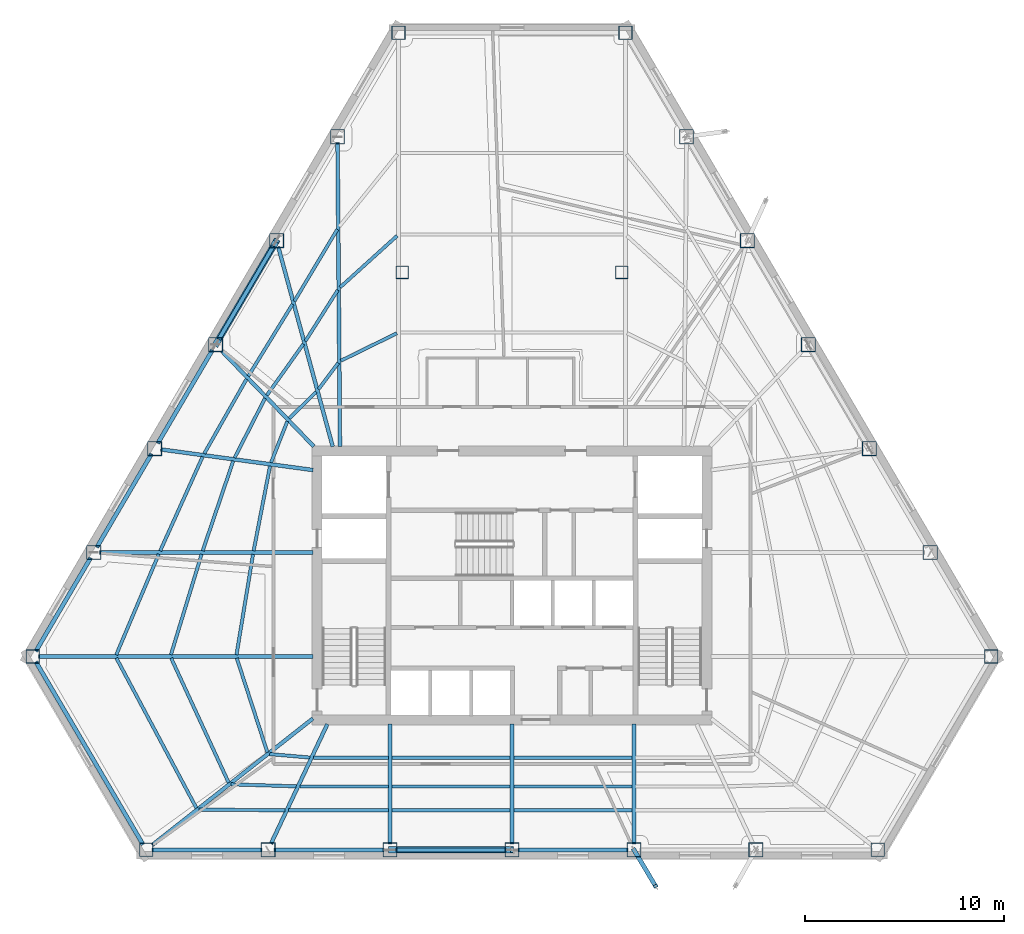
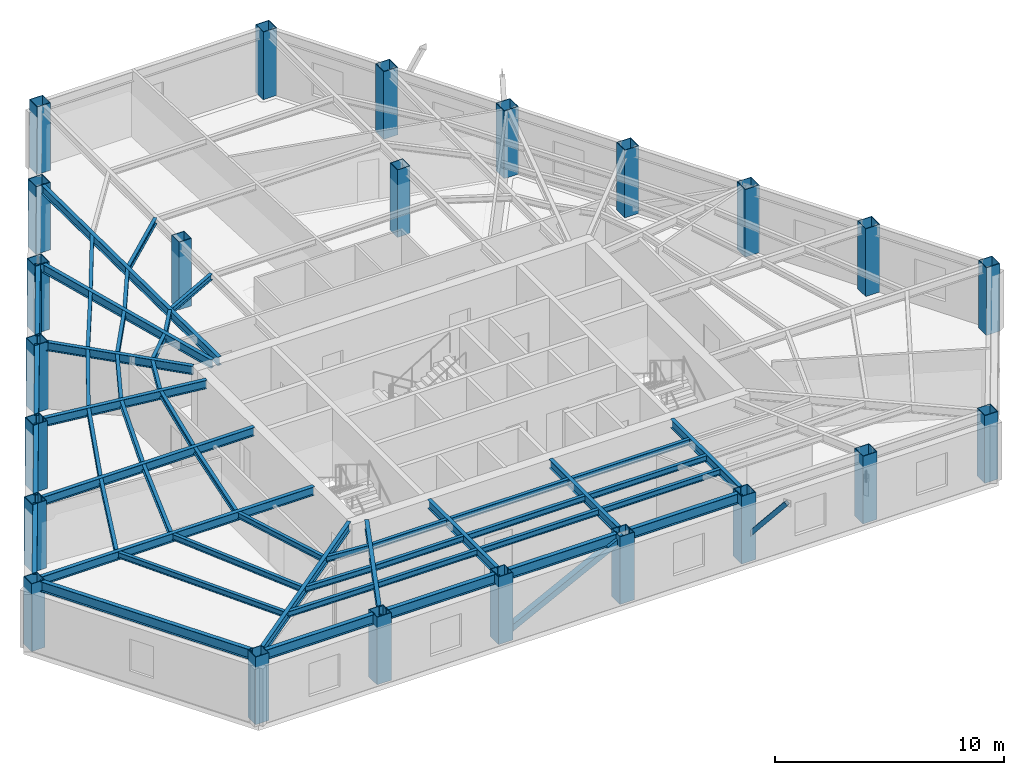
# One storey, part 1 of 13: 52 beams, 23 columns, 3 members.
"""IFC4 building model written with IfcOpenShell, lengths in metres."""

from ifc_helpers import new_model, si_unit, direction, frame, origin, origin_2d, place, context, subcontext, project, spatial, hollow_rectangle, i_section, extrude, material, material_profile, profile_set, type_object, element, save


model = new_model("IFC4")

# Units and contexts
model_context = context("Model", 3, precision=1e-05, world=origin(), true_north=direction((0.0, 1.0)))
body_context = subcontext(model_context, "Body", "Model", "MODEL_VIEW")
ifc_project = project(units=[si_unit("LENGTHUNIT", "METRE"), si_unit("AREAUNIT", "SQUARE_METRE"), si_unit("VOLUMEUNIT", "CUBIC_METRE"), si_unit("PLANEANGLEUNIT", "RADIAN"), si_unit("MASSUNIT", "GRAM", prefix="KILO")], contexts=[model_context])

# Site, building, storey
site_placement = place(None, origin())
site = spatial("IfcSite", under=ifc_project, at=site_placement, CompositionType="ELEMENT")
building_placement = place(site_placement, origin())
building = spatial("IfcBuilding", under=site, at=building_placement, Name="Kavelnor Concourse Tower", CompositionType="ELEMENT")
storey_placement = place(building_placement, frame((0.0, 0.0, 131.699951171875)))
storey = spatial("IfcBuildingStorey", under=building, at=storey_placement, Name="L33", CompositionType="ELEMENT", Elevation=131.699951171875)

# Columns
ifc_material = material(Name="Steel Grade 350", Category="steel")
ifc_material_profile_1 = material_profile(ifc_material, hollow_rectangle(XDim=0.679931640625, YDim=0.679931640625, WallThickness=0.030029296875, at=origin_2d()), Name="SHS 680x680x30")
ifc_profile_set_1 = profile_set([ifc_material_profile_1], Name="Steel Grade 350")
column_type_1 = type_object("IfcColumnType", Name="COL-FOLD-Z2", PredefinedType="COLUMN", material=ifc_profile_set_1)
for number, where, z_axis, x_axis, name in (
    (1, (32.305908203125, 43.817626953125, 0.0), (0.0, 0.0, 1.0), (1.0, 0.0, 0.0), "L33 Perimeter Corner-Fold Column F0-B0"),
    (2, (13.961181640625, 12.533203125, 0.0), (0.0, 0.0, 1.0), (1.0, 0.0, 0.0), "L33 Perimeter Corner-Fold Column F0-B6"),
    (3, (19.64892578125, 2.833740234375, 0.0), (0.0, 0.0, 1.0), (1.0, 0.0, 0.0), "L33 Perimeter Corner-Fold Column F1-B0"),
    (4, (56.35107421875, 2.833740234375, 0.0), (0.0, 0.0, 1.0), (1.0, 0.0, 0.0), "L33 Perimeter Corner-Fold Column F1-B6"),
    (5, (62.038818359375, 12.533203125, 0.0), (0.0, 0.0, 1.0), (1.0, 0.0, 0.0), "L33 Perimeter Corner-Fold Column F2-B0"),
    (6, (43.694091796875, 43.817626953125, 0.0), (0.0, 0.0, 1.0), (1.0, 0.0, 0.0), "L33 Perimeter Corner-Fold Column F2-B6"),
):
    element("IfcColumn", number, at=place(storey_placement, frame(where, z_axis=z_axis, x_axis=x_axis)), inside=storey, type_object=column_type_1, Name=name, PredefinedType="COLUMN", context=body_context, shape_type="SweptSolid", body=[
        extrude(hollow_rectangle(XDim=0.679931640625, YDim=0.679931640625, WallThickness=0.030029296875, at=origin_2d()), origin(), (0.0, 0.0, 1.0), 3.60009765625),
    ])
ifc_material_profile_2 = material_profile(ifc_material, hollow_rectangle(XDim=0.719970703125, YDim=0.719970703125, WallThickness=0.031982421875, at=origin_2d()), Name="SHS 720x720x32")
ifc_profile_set_2 = profile_set([ifc_material_profile_2], Name="Steel Grade 350")
column_type_2 = type_object("IfcColumnType", Name="COL-TUBE-Z2", PredefinedType="COLUMN", material=ifc_profile_set_2)
for number, where, z_axis, x_axis, name in (
    (7, (29.24853515625, 38.603515625, 0.0), (0.0, 0.0, 1.0), (1.0, 0.0, 0.0), "L33 Perimeter Framed-Tube Column F0-B1"),
    (8, (26.191162109375, 33.389404296875, 0.0), (0.0, 0.0, 1.0), (1.0, 0.0, 0.0), "L33 Perimeter Framed-Tube Column F0-B2"),
    (9, (23.133544921875, 28.175537109375, 0.0), (0.0, 0.0, 1.0), (1.0, 0.0, 0.0), "L33 Perimeter Framed-Tube Column F0-B3"),
    (10, (20.076171875, 22.96142578125, 0.0), (0.0, 0.0, 1.0), (1.0, 0.0, 0.0), "L33 Perimeter Framed-Tube Column F0-B4"),
    (11, (17.018798828125, 17.747314453125, 0.0), (0.0, 0.0, 1.0), (1.0, 0.0, 0.0), "L33 Perimeter Framed-Tube Column F0-B5"),
    (12, (25.765869140625, 2.833740234375, 0.0), (0.0, 0.0, 1.0), (1.0, 0.0, 0.0), "L33 Perimeter Framed-Tube Column F1-B1"),
    (13, (31.883056640625, 2.833740234375, 0.0), (0.0, 0.0, 1.0), (1.0, 0.0, 0.0), "L33 Perimeter Framed-Tube Column F1-B2"),
    (14, (38.0, 2.833740234375, 0.0), (0.0, 0.0, 1.0), (1.0, 0.0, 0.0), "L33 Perimeter Framed-Tube Column F1-B3"),
    (15, (44.116943359375, 2.833740234375, 0.0), (0.0, 0.0, 1.0), (1.0, 0.0, 0.0), "L33 Perimeter Framed-Tube Column F1-B4"),
    (16, (50.234130859375, 2.833740234375, 0.0), (0.0, 0.0, 1.0), (1.0, 0.0, 0.0), "L33 Perimeter Framed-Tube Column F1-B5"),
    (17, (58.981201171875, 17.747314453125, 0.0), (0.0, 0.0, 1.0), (1.0, 0.0, 0.0), "L33 Perimeter Framed-Tube Column F2-B1"),
    (18, (55.923828125, 22.96142578125, 0.0), (0.0, 0.0, 1.0), (1.0, 0.0, 0.0), "L33 Perimeter Framed-Tube Column F2-B2"),
    (19, (52.8662109375, 28.175537109375, 0.0), (0.0, 0.0, 1.0), (1.0, 0.0, 0.0), "L33 Perimeter Framed-Tube Column F2-B3"),
    (20, (49.808837890625, 33.389404296875, 0.0), (0.0, 0.0, 1.0), (1.0, 0.0, 0.0), "L33 Perimeter Framed-Tube Column F2-B4"),
    (21, (46.75146484375, 38.603515625, 0.0), (0.0, 0.0, 1.0), (1.0, 0.0, 0.0), "L33 Perimeter Framed-Tube Column F2-B5"),
):
    element("IfcColumn", number, at=place(storey_placement, frame(where, z_axis=z_axis, x_axis=x_axis)), inside=storey, type_object=column_type_2, Name=name, PredefinedType="COLUMN", context=body_context, shape_type="SweptSolid", body=[
        extrude(hollow_rectangle(XDim=0.719970703125, YDim=0.719970703125, WallThickness=0.031982421875, at=origin_2d()), origin(), (0.0, 0.0, 1.0), 3.60009765625),
    ])
ifc_material_profile_3 = material_profile(ifc_material, hollow_rectangle(XDim=0.639892578125, YDim=0.639892578125, WallThickness=0.028076171875, at=origin_2d()), Name="SHS 640x640x28")
ifc_profile_set_3 = profile_set([ifc_material_profile_3], Name="Steel Grade 350")
column_type_3 = type_object("IfcColumnType", Name="COL-TUBE-Z3", PredefinedType="COLUMN", material=ifc_profile_set_3)
for number, where, z_axis, x_axis, name in (
    (22, (32.5, 31.800048828125, 0.0), (0.0, 0.0, 1.0), (1.0, 0.0, 0.0), "L33 North Interior Gravity Column BC-NW"),
    (23, (43.5, 31.800048828125, 0.0), (0.0, 0.0, 1.0), (1.0, 0.0, 0.0), "L33 North Interior Gravity Column BC-NE"),
):
    element("IfcColumn", number, at=place(storey_placement, frame(where, z_axis=z_axis, x_axis=x_axis)), inside=storey, type_object=column_type_3, Name=name, PredefinedType="COLUMN", context=body_context, shape_type="SweptSolid", body=[
        extrude(hollow_rectangle(XDim=0.639892578125, YDim=0.639892578125, WallThickness=0.028076171875, at=origin_2d()), origin(), (0.0, 0.0, 1.0), 3.60009765625),
    ])

# Beams
ifc_material_profile_4 = material_profile(ifc_material, i_section(OverallWidth=0.166015625, OverallDepth=0.306884765625, WebThickness=0.006591796875, FlangeThickness=0.01171875, at=origin_2d()), Name="310UB46")
ifc_profile_set_4 = profile_set([ifc_material_profile_4], Name="Steel Grade 350")
beam_type_1 = type_object("IfcBeamType", Name="BM-JOIST-310", PredefinedType="JOIST", material=ifc_profile_set_4)
beam_1_placement = place(storey_placement, frame((24.195068359375, 12.448486328125, 3.446533203125), z_axis=(0.309118339041, -0.951023581447, 0.0), x_axis=(0.951023581447, 0.309118339041, 0.0)))
element("IfcBeam", 24, at=beam_1_placement, inside=storey, type_object=beam_type_1, Name="L33 Secondary Composite Joist 01-1", PredefinedType="JOIST", context=body_context, shape_type="SweptSolid", body=[
    extrude(i_section(OverallWidth=0.166015625, OverallDepth=0.306884765625, WebThickness=0.006591796875, FlangeThickness=0.01171875, at=origin_2d()), origin(), (0.0, 0.0, 1.0), 4.96142578125),
])
beam_2_placement = place(storey_placement, frame((20.90283203125, 12.452392578125, 3.446533203125), z_axis=(0.418954692818, -0.90800713949, 0.0), x_axis=(0.90800713949, 0.418954692818, 0.0)))
element("IfcBeam", 25, at=beam_2_placement, inside=storey, type_object=beam_type_1, Name="L33 Secondary Composite Joist 01-2", PredefinedType="JOIST", context=body_context, shape_type="SweptSolid", body=[
    extrude(i_section(OverallWidth=0.166015625, OverallDepth=0.306884765625, WebThickness=0.006591796875, FlangeThickness=0.01171875, at=origin_2d()), origin(), (0.0, 0.0, 1.0), 6.882080078125),
])
beam_3_placement = place(storey_placement, frame((18.155517578125, 12.45458984375, 3.446533203125), z_axis=(0.470864614808, -0.882205483162, 0.0), x_axis=(0.882205483162, 0.470864614808, 0.0)))
element("IfcBeam", 26, at=beam_3_placement, inside=storey, type_object=beam_type_1, Name="L33 Secondary Composite Joist 01-3", PredefinedType="JOIST", context=body_context, shape_type="SweptSolid", body=[
    extrude(i_section(OverallWidth=0.166015625, OverallDepth=0.306884765625, WebThickness=0.006591796875, FlangeThickness=0.01171875, at=origin_2d()), origin(), (0.0, 0.0, 1.0), 8.527099609375),
])
beam_4_placement = place(storey_placement, frame((25.844970703125, 7.6376953125, 3.446533203125), z_axis=(0.996297987208, -0.085966974382, 0.0), x_axis=(0.085966974382, 0.996297987208, 0.0)))
element("IfcBeam", 27, at=beam_4_placement, inside=storey, type_object=beam_type_1, Name="L33 Secondary Composite Joist 02-1", PredefinedType="JOIST", context=body_context, shape_type="SweptSolid", body=[
    extrude(i_section(OverallWidth=0.166015625, OverallDepth=0.306884765625, WebThickness=0.006591796875, FlangeThickness=0.01171875, at=origin_2d()), origin(), (0.0, 0.0, 1.0), 2.019287109375),
])
beam_5_placement = place(storey_placement, frame((23.912353515625, 6.11962890625, 3.446533203125), z_axis=(0.999532706774, -0.030567435103, 0.0), x_axis=(0.030567435103, 0.999532706774, 0.0)))
element("IfcBeam", 28, at=beam_5_placement, inside=storey, type_object=beam_type_1, Name="L33 Secondary Composite Joist 02-2", PredefinedType="JOIST", context=body_context, shape_type="SweptSolid", body=[
    extrude(i_section(OverallWidth=0.166015625, OverallDepth=0.306884765625, WebThickness=0.006591796875, FlangeThickness=0.01171875, at=origin_2d()), origin(), (0.0, 0.0, 1.0), 3.2666015625),
])
beam_6_placement = place(storey_placement, frame((22.301513671875, 4.852783203125, 3.446533203125), z_axis=(0.999967199137, -0.008099422797, 0.0), x_axis=(0.008099422797, 0.999967199137, 0.0)))
element("IfcBeam", 29, at=beam_6_placement, inside=storey, type_object=beam_type_1, Name="L33 Secondary Composite Joist 02-3", PredefinedType="JOIST", context=body_context, shape_type="SweptSolid", body=[
    extrude(i_section(OverallWidth=0.166015625, OverallDepth=0.306884765625, WebThickness=0.006591796875, FlangeThickness=0.01171875, at=origin_2d()), origin(), (0.0, 0.0, 1.0), 4.310546875),
])
beam_7_placement = place(storey_placement, frame((28.0341796875, 7.45654296875, 3.446533203125), z_axis=(0.999999896694, 0.000454545408, 0.0), x_axis=(-0.000454545408, 0.999999896694, 0.0)))
element("IfcBeam", 30, at=beam_7_placement, inside=storey, type_object=beam_type_1, Name="L33 Secondary Composite Joist 03-1", PredefinedType="JOIST", context=body_context, shape_type="SweptSolid", body=[
    extrude(i_section(OverallWidth=0.166015625, OverallDepth=0.306884765625, WebThickness=0.006591796875, FlangeThickness=0.01171875, at=origin_2d()), origin(), (0.0, 0.0, 1.0), 3.759765625),
])
beam_8_placement = place(storey_placement, frame((27.35546875, 6.016845703125, 3.446533203125), z_axis=(1.0, 0.0, 0.0), x_axis=(0.0, 1.0, 0.0)))
element("IfcBeam", 31, at=beam_8_placement, inside=storey, type_object=beam_type_1, Name="L33 Secondary Composite Joist 03-2", PredefinedType="JOIST", context=body_context, shape_type="SweptSolid", body=[
    extrude(i_section(OverallWidth=0.166015625, OverallDepth=0.306884765625, WebThickness=0.006591796875, FlangeThickness=0.01171875, at=origin_2d()), origin(), (0.0, 0.0, 1.0), 4.4384765625),
])
beam_9_placement = place(storey_placement, frame((26.789794921875, 4.817138671875, 3.446533203125), z_axis=(0.999999957156, -0.000292725752, 0.0), x_axis=(0.000292725752, 0.999999957156, 0.0)))
element("IfcBeam", 32, at=beam_9_placement, inside=storey, type_object=beam_type_1, Name="L33 Secondary Composite Joist 03-3", PredefinedType="JOIST", context=body_context, shape_type="SweptSolid", body=[
    extrude(i_section(OverallWidth=0.166015625, OverallDepth=0.306884765625, WebThickness=0.006591796875, FlangeThickness=0.01171875, at=origin_2d()), origin(), (0.0, 0.0, 1.0), 5.004150390625),
])
for number, where, z_axis, x_axis, name in (
    (33, (31.971923828125, 7.458251953125, 3.446533203125), (1.0, 0.0, 0.0), (0.0, 1.0, 0.0), "L33 Secondary Composite Joist 04-1"),
    (34, (31.971923828125, 6.016845703125, 3.446533203125), (1.0, 0.0, 0.0), (0.0, 1.0, 0.0), "L33 Secondary Composite Joist 04-2"),
    (35, (31.971923828125, 4.8154296875, 3.446533203125), (1.0, 0.0, 0.0), (0.0, 1.0, 0.0), "L33 Secondary Composite Joist 04-3"),
    (36, (38.089111328125, 7.458251953125, 3.446533203125), (1.0, 0.0, 0.0), (0.0, 1.0, 0.0), "L33 Secondary Composite Joist 05-1"),
    (37, (38.089111328125, 6.016845703125, 3.446533203125), (1.0, 0.0, 0.0), (0.0, 1.0, 0.0), "L33 Secondary Composite Joist 05-2"),
    (38, (38.089111328125, 4.8154296875, 3.446533203125), (1.0, 0.0, 0.0), (0.0, 1.0, 0.0), "L33 Secondary Composite Joist 05-3"),
):
    element("IfcBeam", number, at=place(storey_placement, frame(where, z_axis=z_axis, x_axis=x_axis)), inside=storey, type_object=beam_type_1, Name=name, PredefinedType="JOIST", context=body_context, shape_type="SweptSolid", body=[
        extrude(i_section(OverallWidth=0.166015625, OverallDepth=0.306884765625, WebThickness=0.006591796875, FlangeThickness=0.01171875, at=origin_2d()), origin(), (0.0, 0.0, 1.0), 5.93896484375),
    ])
beam_10_placement = place(storey_placement, frame((32.22607421875, 28.748779296875, 3.446533203125), z_axis=(-0.897431953019, -0.441152909659, 0.0), x_axis=(0.441152909659, -0.897431953019, 0.0)))
element("IfcBeam", 39, at=beam_10_placement, inside=storey, type_object=beam_type_1, Name="L33 Secondary Composite Joist 16-1", PredefinedType="JOIST", context=body_context, shape_type="SweptSolid", body=[
    extrude(i_section(OverallWidth=0.166015625, OverallDepth=0.306884765625, WebThickness=0.006591796875, FlangeThickness=0.01171875, at=origin_2d()), origin(), (0.0, 0.0, 1.0), 3.131103515625),
])
beam_11_placement = place(storey_placement, frame((32.239990234375, 33.63818359375, 3.446533203125), z_axis=(-0.741721348882, -0.67070816352, 0.0), x_axis=(0.67070816352, -0.741721348882, 0.0)))
element("IfcBeam", 40, at=beam_11_placement, inside=storey, type_object=beam_type_1, Name="L33 Secondary Composite Joist 16-2", PredefinedType="JOIST", context=body_context, shape_type="SweptSolid", body=[
    extrude(i_section(OverallWidth=0.166015625, OverallDepth=0.306884765625, WebThickness=0.006591796875, FlangeThickness=0.01171875, at=origin_2d()), origin(), (0.0, 0.0, 1.0), 3.8642578125),
])
beam_12_placement = place(storey_placement, frame((29.28271484375, 27.257080078125, 3.446533203125), z_axis=(-0.599572602086, -0.800320370119, 0.0), x_axis=(0.800320370119, -0.599572602086, 0.0)))
element("IfcBeam", 41, at=beam_12_placement, inside=storey, type_object=beam_type_1, Name="L33 Secondary Composite Joist 17-1", PredefinedType="JOIST", context=body_context, shape_type="SweptSolid", body=[
    extrude(i_section(OverallWidth=0.166015625, OverallDepth=0.306884765625, WebThickness=0.006591796875, FlangeThickness=0.01171875, at=origin_2d()), origin(), (0.0, 0.0, 1.0), 1.6455078125),
])
beam_13_placement = place(storey_placement, frame((29.260009765625, 30.91162109375, 3.446533203125), z_axis=(-0.536010867644, -0.844211081287, 0.0), x_axis=(0.844211081287, -0.536010867644, 0.0)))
element("IfcBeam", 42, at=beam_13_placement, inside=storey, type_object=beam_type_1, Name="L33 Secondary Composite Joist 17-2", PredefinedType="JOIST", context=body_context, shape_type="SweptSolid", body=[
    extrude(i_section(OverallWidth=0.166015625, OverallDepth=0.306884765625, WebThickness=0.006591796875, FlangeThickness=0.01171875, at=origin_2d()), origin(), (0.0, 0.0, 1.0), 3.033935546875),
])
beam_14_placement = place(storey_placement, frame((29.23828125, 33.958984375, 3.446533203125), z_axis=(-0.51310913436, -0.858323375096, 0.0), x_axis=(0.858323375096, -0.51310913436, 0.0)))
element("IfcBeam", 43, at=beam_14_placement, inside=storey, type_object=beam_type_1, Name="L33 Secondary Composite Joist 17-3", PredefinedType="JOIST", context=body_context, shape_type="SweptSolid", body=[
    extrude(i_section(OverallWidth=0.166015625, OverallDepth=0.306884765625, WebThickness=0.006591796875, FlangeThickness=0.01171875, at=origin_2d()), origin(), (0.0, 0.0, 1.0), 4.196533203125),
])
beam_15_placement = place(storey_placement, frame((28.17919921875, 25.806396484375, 3.446533203125), z_axis=(-0.712935781032, -0.701229329196, 0.0), x_axis=(0.701229329196, -0.712935781032, 0.0)))
element("IfcBeam", 44, at=beam_15_placement, inside=storey, type_object=beam_type_1, Name="L33 Secondary Composite Joist 18-1", PredefinedType="JOIST", context=body_context, shape_type="SweptSolid", body=[
    extrude(i_section(OverallWidth=0.166015625, OverallDepth=0.306884765625, WebThickness=0.006591796875, FlangeThickness=0.01171875, at=origin_2d()), origin(), (0.0, 0.0, 1.0), 1.897705078125),
])
beam_16_placement = place(storey_placement, frame((27.53466796875, 28.202880859375, 3.446533203125), z_axis=(-0.58052004092, -0.81424595921, 0.0), x_axis=(0.81424595921, -0.58052004092, 0.0)))
element("IfcBeam", 45, at=beam_16_placement, inside=storey, type_object=beam_type_1, Name="L33 Secondary Composite Joist 18-2", PredefinedType="JOIST", context=body_context, shape_type="SweptSolid", body=[
    extrude(i_section(OverallWidth=0.166015625, OverallDepth=0.306884765625, WebThickness=0.006591796875, FlangeThickness=0.01171875, at=origin_2d()), origin(), (0.0, 0.0, 1.0), 3.152587890625),
])
beam_17_placement = place(storey_placement, frame((26.99267578125, 30.204833984375, 3.446533203125), z_axis=(-0.523775684882, -0.851856227263, 0.0), x_axis=(0.851856227263, -0.523775684882, 0.0)))
element("IfcBeam", 46, at=beam_17_placement, inside=storey, type_object=beam_type_1, Name="L33 Secondary Composite Joist 18-3", PredefinedType="JOIST", context=body_context, shape_type="SweptSolid", body=[
    extrude(i_section(OverallWidth=0.166015625, OverallDepth=0.306884765625, WebThickness=0.006591796875, FlangeThickness=0.01171875, at=origin_2d()), origin(), (0.0, 0.0, 1.0), 4.234130859375),
])
beam_18_placement = place(storey_placement, frame((26.72998046875, 24.33056640625, 3.446533203125), z_axis=(-0.366967000309, -0.930233960186, 0.0), x_axis=(0.930233960186, -0.366967000309, 0.0)))
element("IfcBeam", 47, at=beam_18_placement, inside=storey, type_object=beam_type_1, Name="L33 Secondary Composite Joist 19-1", PredefinedType="JOIST", context=body_context, shape_type="SweptSolid", body=[
    extrude(i_section(OverallWidth=0.166015625, OverallDepth=0.306884765625, WebThickness=0.006591796875, FlangeThickness=0.01171875, at=origin_2d()), origin(), (0.0, 0.0, 1.0), 2.228759765625),
])
beam_19_placement = place(storey_placement, frame((25.612548828125, 25.484375, 3.446533203125), z_axis=(-0.455763221688, -0.890101053677, 0.0), x_axis=(0.890101053677, -0.455763221688, 0.0)))
element("IfcBeam", 48, at=beam_19_placement, inside=storey, type_object=beam_type_1, Name="L33 Secondary Composite Joist 19-2", PredefinedType="JOIST", context=body_context, shape_type="SweptSolid", body=[
    extrude(i_section(OverallWidth=0.166015625, OverallDepth=0.306884765625, WebThickness=0.006591796875, FlangeThickness=0.01171875, at=origin_2d()), origin(), (0.0, 0.0, 1.0), 3.35009765625),
])
beam_20_placement = place(storey_placement, frame((24.684326171875, 26.44482421875, 3.446533203125), z_axis=(-0.494112848226, -0.869397776175, 0.0), x_axis=(0.869397776175, -0.494112848226, 0.0)))
element("IfcBeam", 49, at=beam_20_placement, inside=storey, type_object=beam_type_1, Name="L33 Secondary Composite Joist 19-3", PredefinedType="JOIST", context=body_context, shape_type="SweptSolid", body=[
    extrude(i_section(OverallWidth=0.166015625, OverallDepth=0.306884765625, WebThickness=0.006591796875, FlangeThickness=0.01171875, at=origin_2d()), origin(), (0.0, 0.0, 1.0), 4.298095703125),
])
beam_21_placement = place(storey_placement, frame((25.86279296875, 22.087158203125, 3.446533203125), z_axis=(-0.189846637664, -0.981813757373, 0.0), x_axis=(0.981813757373, -0.189846637664, 0.0)))
element("IfcBeam", 50, at=beam_21_placement, inside=storey, type_object=beam_type_1, Name="L33 Secondary Composite Joist 20-1", PredefinedType="JOIST", context=body_context, shape_type="SweptSolid", body=[
    extrude(i_section(OverallWidth=0.166015625, OverallDepth=0.306884765625, WebThickness=0.006591796875, FlangeThickness=0.01171875, at=origin_2d()), origin(), (0.0, 0.0, 1.0), 4.331298828125),
])
beam_22_placement = place(storey_placement, frame((24.0166015625, 22.339111328125, 3.446533203125), z_axis=(-0.321929393029, -0.946763680072, 0.0), x_axis=(0.946763680072, -0.321929393029, 0.0)))
element("IfcBeam", 51, at=beam_22_placement, inside=storey, type_object=beam_type_1, Name="L33 Secondary Composite Joist 20-2", PredefinedType="JOIST", context=body_context, shape_type="SweptSolid", body=[
    extrude(i_section(OverallWidth=0.166015625, OverallDepth=0.306884765625, WebThickness=0.006591796875, FlangeThickness=0.01171875, at=origin_2d()), origin(), (0.0, 0.0, 1.0), 4.760986328125),
])
beam_23_placement = place(storey_placement, frame((22.47998046875, 22.54931640625, 3.446533203125), z_axis=(-0.410966402356, -0.911650490119, 0.0), x_axis=(0.911650490119, -0.410966402356, 0.0)))
element("IfcBeam", 52, at=beam_23_placement, inside=storey, type_object=beam_type_1, Name="L33 Secondary Composite Joist 20-3", PredefinedType="JOIST", context=body_context, shape_type="SweptSolid", body=[
    extrude(i_section(OverallWidth=0.166015625, OverallDepth=0.306884765625, WebThickness=0.006591796875, FlangeThickness=0.01171875, at=origin_2d()), origin(), (0.0, 0.0, 1.0), 5.178466796875),
])
beam_24_placement = place(storey_placement, frame((25.00927734375, 17.659423828125, 3.446533203125), z_axis=(-0.162049066035, -0.98678270161, 0.0), x_axis=(0.98678270161, -0.162049066035, 0.0)))
element("IfcBeam", 53, at=beam_24_placement, inside=storey, type_object=beam_type_1, Name="L33 Secondary Composite Joist 21-1", PredefinedType="JOIST", context=body_context, shape_type="SweptSolid", body=[
    extrude(i_section(OverallWidth=0.166015625, OverallDepth=0.306884765625, WebThickness=0.006591796875, FlangeThickness=0.01171875, at=origin_2d()), origin(), (0.0, 0.0, 1.0), 5.105712890625),
])
beam_25_placement = place(storey_placement, frame((22.429443359375, 17.662109375, 3.446533203125), z_axis=(-0.291690337145, -0.956512805568, 0.0), x_axis=(0.956512805568, -0.291690337145, 0.0)))
element("IfcBeam", 54, at=beam_25_placement, inside=storey, type_object=beam_type_1, Name="L33 Secondary Composite Joist 21-2", PredefinedType="JOIST", context=body_context, shape_type="SweptSolid", body=[
    extrude(i_section(OverallWidth=0.166015625, OverallDepth=0.306884765625, WebThickness=0.006591796875, FlangeThickness=0.01171875, at=origin_2d()), origin(), (0.0, 0.0, 1.0), 5.27294921875),
])
beam_26_placement = place(storey_placement, frame((20.280517578125, 17.665283203125, 3.446533203125), z_axis=(-0.3889468375, -0.921260200811, 0.0), x_axis=(0.921260200811, -0.3889468375, 0.0)))
element("IfcBeam", 55, at=beam_26_placement, inside=storey, type_object=beam_type_1, Name="L33 Secondary Composite Joist 21-3", PredefinedType="JOIST", context=body_context, shape_type="SweptSolid", body=[
    extrude(i_section(OverallWidth=0.166015625, OverallDepth=0.306884765625, WebThickness=0.006591796875, FlangeThickness=0.01171875, at=origin_2d()), origin(), (0.0, 0.0, 1.0), 5.481689453125),
])
ifc_material_profile_5 = material_profile(ifc_material, i_section(OverallWidth=0.18994140625, OverallDepth=0.4541015625, WebThickness=0.008544921875, FlangeThickness=0.0126953125, at=origin_2d()), Name="460UB67")
ifc_profile_set_5 = profile_set([ifc_material_profile_5], Name="Steel Grade 350")
beam_type_2 = type_object("IfcBeamType", Name="BM-PRIMARY-460", PredefinedType="BEAM", material=ifc_profile_set_5)
beam_27_placement = place(storey_placement, frame((29.369384765625, 23.06005859375, 3.373046875), z_axis=(-0.007783485669, 0.999969708217, 0.0), x_axis=(-0.999969708217, -0.007783485669, 0.0)))
element("IfcBeam", 56, at=beam_27_placement, inside=storey, type_object=beam_type_2, Name="L33 Primary Floor Girder F0-B1", PredefinedType="BEAM", context=body_context, shape_type="SweptSolid", body=[
    extrude(i_section(OverallWidth=0.18994140625, OverallDepth=0.4541015625, WebThickness=0.008544921875, FlangeThickness=0.0126953125, at=origin_2d()), origin(), (0.0, 0.0, 1.0), 15.244140625),
])
beam_28_placement = place(storey_placement, frame((29.008544921875, 23.061279296875, 3.373046875), z_axis=(-0.263184984846, 0.964745388044, 0.0), x_axis=(-0.964745388044, -0.263184984846, 0.0)))
element("IfcBeam", 57, at=beam_28_placement, inside=storey, type_object=beam_type_2, Name="L33 Primary Floor Girder F0-B2", PredefinedType="BEAM", context=body_context, shape_type="SweptSolid", body=[
    extrude(i_section(OverallWidth=0.18994140625, OverallDepth=0.4541015625, WebThickness=0.008544921875, FlangeThickness=0.0126953125, at=origin_2d()), origin(), (0.0, 0.0, 1.0), 10.393310546875),
])
beam_29_placement = place(storey_placement, frame((28.057373046875, 23.0712890625, 3.373046875), z_axis=(-0.694271247104, 0.719713439811, 0.0), x_axis=(-0.719713439811, -0.694271247104, 0.0)))
element("IfcBeam", 58, at=beam_29_placement, inside=storey, type_object=beam_type_2, Name="L33 Primary Floor Girder F0-B3", PredefinedType="BEAM", context=body_context, shape_type="SweptSolid", body=[
    extrude(i_section(OverallWidth=0.18994140625, OverallDepth=0.4541015625, WebThickness=0.008544921875, FlangeThickness=0.0126953125, at=origin_2d()), origin(), (0.0, 0.0, 1.0), 6.65966796875),
])
beam_30_placement = place(storey_placement, frame((28.01953125, 21.884521484375, 3.373046875), z_axis=(-0.990935231007, 0.134340492586, 0.0), x_axis=(-0.134340492586, -0.990935231007, 0.0)))
element("IfcBeam", 59, at=beam_30_placement, inside=storey, type_object=beam_type_2, Name="L33 Primary Floor Girder F0-B4", PredefinedType="BEAM", context=body_context, shape_type="SweptSolid", body=[
    extrude(i_section(OverallWidth=0.18994140625, OverallDepth=0.4541015625, WebThickness=0.008544921875, FlangeThickness=0.0126953125, at=origin_2d()), origin(), (0.0, 0.0, 1.0), 7.712646484375),
])
beam_31_placement = place(storey_placement, frame((28.02001953125, 17.747314453125, 3.373046875), z_axis=(-1.0, 0.0, 0.0), x_axis=(0.0, -1.0, 0.0)))
element("IfcBeam", 60, at=beam_31_placement, inside=storey, type_object=beam_type_2, Name="L33 Primary Floor Girder F0-B5", PredefinedType="BEAM", context=body_context, shape_type="SweptSolid", body=[
    extrude(i_section(OverallWidth=0.18994140625, OverallDepth=0.4541015625, WebThickness=0.008544921875, FlangeThickness=0.0126953125, at=origin_2d()), origin(), (0.0, 0.0, 1.0), 10.701171875),
])
beam_32_placement = place(storey_placement, frame((28.02001953125, 12.533203125, 3.373046875), z_axis=(-1.0, 0.0, 0.0), x_axis=(0.0, -1.0, 0.0)))
element("IfcBeam", 61, at=beam_32_placement, inside=storey, type_object=beam_type_2, Name="L33 Primary Floor Girder F0-B6", PredefinedType="BEAM", context=body_context, shape_type="SweptSolid", body=[
    extrude(i_section(OverallWidth=0.18994140625, OverallDepth=0.4541015625, WebThickness=0.008544921875, FlangeThickness=0.0126953125, at=origin_2d()), origin(), (0.0, 0.0, 1.0), 13.7587890625),
])
beam_33_placement = place(storey_placement, frame((28.011474609375, 9.421875, 3.373046875), z_axis=(-0.785518680369, -0.6188379455, 0.0), x_axis=(0.6188379455, -0.785518680369, 0.0)))
element("IfcBeam", 62, at=beam_33_placement, inside=storey, type_object=beam_type_2, Name="L33 Primary Floor Girder F1-B0", PredefinedType="BEAM", context=body_context, shape_type="SweptSolid", body=[
    extrude(i_section(OverallWidth=0.18994140625, OverallDepth=0.4541015625, WebThickness=0.008544921875, FlangeThickness=0.0126953125, at=origin_2d()), origin(), (0.0, 0.0, 1.0), 10.2529296875),
])
beam_34_placement = place(storey_placement, frame((28.737060546875, 9.13623046875, 3.373046875), z_axis=(-0.426419231698, -0.904525642996, 0.0), x_axis=(0.904525642996, -0.426419231698, 0.0)))
element("IfcBeam", 63, at=beam_34_placement, inside=storey, type_object=beam_type_2, Name="L33 Primary Floor Girder F1-B1", PredefinedType="BEAM", context=body_context, shape_type="SweptSolid", body=[
    extrude(i_section(OverallWidth=0.18994140625, OverallDepth=0.4541015625, WebThickness=0.008544921875, FlangeThickness=0.0126953125, at=origin_2d()), origin(), (0.0, 0.0, 1.0), 6.631591796875),
])
for number, where, z_axis, x_axis, name in (
    (64, (31.883056640625, 9.139892578125, 3.373046875), (0.0, -1.0, 0.0), (1.0, 0.0, 0.0), "L33 Primary Floor Girder F1-B2"),
    (65, (38.0, 9.139892578125, 3.373046875), (0.0, -1.0, 0.0), (1.0, 0.0, 0.0), "L33 Primary Floor Girder F1-B3"),
    (66, (44.116943359375, 9.139892578125, 3.373046875), (0.0, -1.0, 0.0), (1.0, 0.0, 0.0), "L33 Primary Floor Girder F1-B4"),
):
    element("IfcBeam", number, at=place(storey_placement, frame(where, z_axis=z_axis, x_axis=x_axis)), inside=storey, type_object=beam_type_2, Name=name, PredefinedType="BEAM", context=body_context, shape_type="SweptSolid", body=[
        extrude(i_section(OverallWidth=0.18994140625, OverallDepth=0.4541015625, WebThickness=0.008544921875, FlangeThickness=0.0126953125, at=origin_2d()), origin(), (0.0, 0.0, 1.0), 6.006103515625),
    ])
ifc_material_profile_6 = material_profile(ifc_material, i_section(OverallWidth=0.208984375, OverallDepth=0.532958984375, WebThickness=0.01025390625, FlangeThickness=0.015625, at=origin_2d()), Name="530UB92")
ifc_profile_set_6 = profile_set([ifc_material_profile_6], Name="Steel Grade 350")
beam_type_3 = type_object("IfcBeamType", Name="BM-SPANDREL-Z2", PredefinedType="SPANDREL", material=ifc_profile_set_6)
for number, where, z_axis, x_axis, name in (
    (67, (26.036865234375, 33.12646484375, 3.33349609375), (-0.505861306432, -0.862614826359, 0.0), (0.862614826359, -0.505861306432, 0.0), "L33 Perimeter Tube Spandrel Beam F0-B2"),
    (68, (22.979248046875, 27.912353515625, 3.33349609375), (-0.505827876021, -0.862634430011, 0.0), (0.862634430011, -0.505827876021, 0.0), "L33 Perimeter Tube Spandrel Beam F0-B3"),
    (69, (19.921875, 22.6982421875, 3.33349609375), (-0.505827876021, -0.862634430011, 0.0), (0.862634430011, -0.505827876021, 0.0), "L33 Perimeter Tube Spandrel Beam F0-B4"),
    (70, (16.864501953125, 17.484130859375, 3.33349609375), (-0.505861306432, -0.862614826359, 0.0), (0.862614826359, -0.505861306432, 0.0), "L33 Perimeter Tube Spandrel Beam F0-B5"),
):
    element("IfcBeam", number, at=place(storey_placement, frame(where, z_axis=z_axis, x_axis=x_axis)), inside=storey, type_object=beam_type_3, Name=name, PredefinedType="SPANDREL", context=body_context, shape_type="SweptSolid", body=[
        extrude(i_section(OverallWidth=0.208984375, OverallDepth=0.532958984375, WebThickness=0.01025390625, FlangeThickness=0.015625, at=origin_2d()), origin(), (0.0, 0.0, 1.0), 5.434326171875),
    ])
for number, where, z_axis, x_axis, name in (
    (71, (19.953857421875, 2.833740234375, 3.33349609375), (1.0, 0.0, 0.0), (0.0, 1.0, 0.0), "L33 Perimeter Tube Spandrel Beam F1-B0"),
    (72, (26.07080078125, 2.833740234375, 3.33349609375), (1.0, 0.0, 0.0), (0.0, 1.0, 0.0), "L33 Perimeter Tube Spandrel Beam F1-B1"),
    (73, (32.18798828125, 2.833740234375, 3.33349609375), (1.0, 0.0, 0.0), (0.0, 1.0, 0.0), "L33 Perimeter Tube Spandrel Beam F1-B2"),
    (74, (38.304931640625, 2.833740234375, 3.33349609375), (1.0, 0.0, 0.0), (0.0, 1.0, 0.0), "L33 Perimeter Tube Spandrel Beam F1-B3"),
):
    element("IfcBeam", number, at=place(storey_placement, frame(where, z_axis=z_axis, x_axis=x_axis)), inside=storey, type_object=beam_type_3, Name=name, PredefinedType="SPANDREL", context=body_context, shape_type="SweptSolid", body=[
        extrude(i_section(OverallWidth=0.208984375, OverallDepth=0.532958984375, WebThickness=0.01025390625, FlangeThickness=0.015625, at=origin_2d()), origin(), (0.0, 0.0, 1.0), 5.507080078125),
    ])
beam_35_placement = place(storey_placement, frame((14.115478515625, 12.27001953125, 3.33349609375), z_axis=(0.505846762041, -0.862623355429, 0.0), x_axis=(0.862623355429, 0.505846762041, 0.0)))
element("IfcBeam", 75, at=beam_35_placement, inside=storey, type_object=beam_type_3, Name="L33 Chamfer Facet Spandrel Beam C1", PredefinedType="SPANDREL", context=body_context, shape_type="SweptSolid", body=[
    extrude(i_section(OverallWidth=0.208984375, OverallDepth=0.532958984375, WebThickness=0.01025390625, FlangeThickness=0.015625, at=origin_2d()), origin(), (0.0, 0.0, 1.0), 10.634033203125),
])

# Members
ifc_material_profile_7 = material_profile(ifc_material, hollow_rectangle(XDim=0.219970703125, YDim=0.219970703125, WallThickness=0.013916015625, at=origin_2d()), Name="SHS 220x220x14")
ifc_profile_set_7 = profile_set([ifc_material_profile_7], Name="Steel Grade 350")
member_type_1 = type_object("IfcMemberType", Name="MBR-BALC-STRUT-220", PredefinedType="STRUT", material=ifc_profile_set_7)
member_1_placement = place(storey_placement, frame((44.116943359375, 2.833740234375, 1.050048828125), z_axis=(0.323535363772, -0.542277826699, 0.775409328716), x_axis=(0.858769756709, 0.512361693496, 0.0)))
element("IfcMember", 76, at=member_1_placement, inside=storey, type_object=member_type_1, Name="L33 Tree Balcony Raking Knee Strut 1-A", PredefinedType="STRUT", context=body_context, shape_type="SweptSolid", body=[
    extrude(hollow_rectangle(XDim=0.219970703125, YDim=0.219970703125, WallThickness=0.013916015625, at=origin_2d()), origin(), (0.0, 0.0, 1.0), 3.359375),
])
ifc_material_profile_8 = material_profile(ifc_material, hollow_rectangle(XDim=0.320068359375, YDim=0.320068359375, WallThickness=0.01806640625, at=origin_2d()), Name="SHS 320x320x18")
ifc_profile_set_8 = profile_set([ifc_material_profile_8], Name="Steel Grade 350")
member_type_2 = type_object("IfcMemberType", Name="MBR-TUBE-DIAG-Z2", PredefinedType="BRACE", material=ifc_profile_set_8)
member_2_placement = place(storey_placement, frame((23.133544921875, 28.175537109375, 0.219970703125), z_axis=(0.449710500463, 0.766849045663, 0.457933408847), x_axis=(-0.86261045321, 0.505868763626, 0.0)))
element("IfcMember", 77, at=member_2_placement, inside=storey, type_object=member_type_2, Name="L33 Framed-Tube Bracing Diagonal F0-B2", PredefinedType="BRACE", context=body_context, shape_type="SweptSolid", body=[
    extrude(hollow_rectangle(XDim=0.320068359375, YDim=0.320068359375, WallThickness=0.01806640625, at=origin_2d()), origin(), (0.0, 0.0, 1.0), 6.799072265625),
])
member_3_placement = place(storey_placement, frame((31.883056640625, 2.833740234375, 0.219970703125), z_axis=(0.891195797334, 0.0, 0.453618838691), x_axis=(0.0, 1.0, 0.0)))
element("IfcMember", 78, at=member_3_placement, inside=storey, type_object=member_type_2, Name="L33 Framed-Tube Bracing Diagonal F1-B2", PredefinedType="BRACE", context=body_context, shape_type="SweptSolid", body=[
    extrude(hollow_rectangle(XDim=0.320068359375, YDim=0.320068359375, WallThickness=0.01806640625, at=origin_2d()), origin(), (0.0, 0.0, 1.0), 6.86376953125),
])

save(model, "model.ifc")
